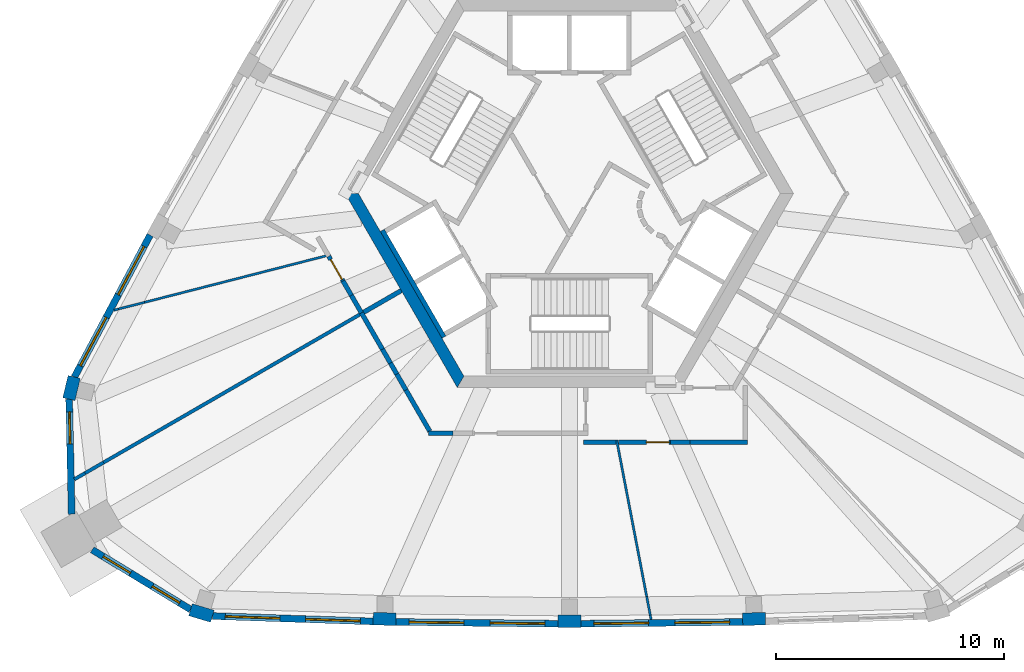
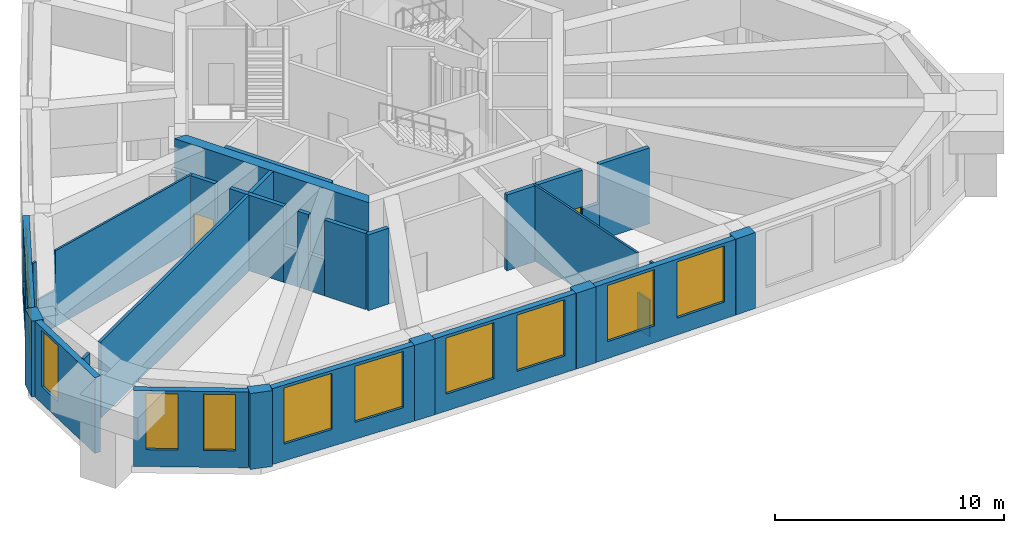
# One storey, part 2 of 9: 36 walls, 11 windows, 2 doors, 13 openings.
"""IFC4 building model written with IfcOpenShell, lengths in metres."""

from ifc_helpers import new_model, si_unit, direction, frame, frame_2d, origin, place, context, subcontext, project, spatial, polyline, rectangle, outline, extrude, material, layer, layer_set, type_object, element, fill, save


model = new_model("IFC4")

# Units and contexts
model_context = context("Model", 3, precision=1e-05, world=origin(), true_north=direction((0.0, 1.0)))
body_context = subcontext(model_context, "Body", "Model", "MODEL_VIEW")
ifc_project = project(units=[si_unit("LENGTHUNIT", "METRE"), si_unit("AREAUNIT", "SQUARE_METRE"), si_unit("VOLUMEUNIT", "CUBIC_METRE"), si_unit("PLANEANGLEUNIT", "RADIAN"), si_unit("MASSUNIT", "GRAM", prefix="KILO")], contexts=[model_context])

# Site, building, storey
site_placement = place(None, origin())
site = spatial("IfcSite", under=ifc_project, at=site_placement, CompositionType="ELEMENT")
building_placement = place(site_placement, origin())
building = spatial("IfcBuilding", under=site, at=building_placement, Name="Entoto Arch Interchange Tower", CompositionType="ELEMENT")
storey_placement = place(building_placement, frame((0.0, 0.0, 335.89990234375)))
storey = spatial("IfcBuildingStorey", under=building, at=storey_placement, Name="L79", CompositionType="ELEMENT", Elevation=335.89990234375)

# Walls
ifc_material_1 = material(Name="Concrete C40/50", Category="concrete")
ifc_layer_1 = layer(ifc_material_1, 0.5)
ifc_layer_set_1 = layer_set([ifc_layer_1], Name="Concrete C40/50")
wall_type_1 = type_object("IfcWallType", Name="Core wall 500 C40/50", PredefinedType="SHEAR", material=ifc_layer_set_1)
wall_1_placement = place(storey_placement, frame((0.0, 0.0, -0.349853515625)))
element("IfcWall", 1, at=wall_1_placement, inside=storey, type_object=wall_type_1, Name="Core wall SW L79", PredefinedType="SHEAR", context=body_context, shape_type="SweptSolid", body=[
    extrude(outline(polyline([(-9.81494140625, 2.5), (-4.906982421875, -6.0), (-4.618896484375, -5.5), (-9.238037109375, 2.5), (-9.81494140625, 2.5)])), origin(), (0.0, 0.0, 1.0), 4.39990234375),
])
ifc_layer_2 = layer(ifc_material_1, 0.199951171875)
ifc_layer_set_2 = layer_set([ifc_layer_2], Name="Concrete C40/50")
wall_type_2 = type_object("IfcWallType", Name="LIFT SHAFT WALL 200", PredefinedType="STANDARD", material=ifc_layer_set_2)
wall_2_placement = place(storey_placement, frame((-8.19189453125, 0.887939453125, 0.0), z_axis=(0.0, 0.0, 1.0), x_axis=(0.500034260056, -0.866005622828, 0.0)))
element("IfcWall", 2, at=wall_2_placement, inside=storey, type_object=wall_type_2, Name="Shaft wall SW1 back", PredefinedType="STANDARD", context=body_context, shape_type="SweptSolid", body=[
    extrude(rectangle(XDim=5.3994140625, YDim=0.199951171875, at=frame_2d((2.69970703125, 0.0))), origin(), (0.0, 0.0, 1.0), 4.050048828125),
])
ifc_material_2 = material(Name="Gypsum board partition on steel studs", Category="steel")
ifc_layer_3 = layer(ifc_material_2, 0.10009765625)
ifc_layer_set_3 = layer_set([ifc_layer_3], Name="Gypsum board partition on steel studs")
wall_type_3 = type_object("IfcWallType", Name="PARTITION 100", PredefinedType="PARTITIONING", material=ifc_layer_set_3)
wall_3_placement = place(storey_placement, frame((3.5810546875, -16.158935546875, 0.0), z_axis=(0.0, 0.0, 1.0), x_axis=(-0.186880008506, 0.982382747416, 0.0)))
element("IfcWall", 3, at=wall_3_placement, inside=storey, type_object=wall_type_3, Name="wall:L79:p023", PredefinedType="PARTITIONING", context=body_context, shape_type="SweptSolid", body=[
    extrude(rectangle(XDim=0.193359375, YDim=0.10009765625, at=frame_2d((0.0966796875, 0.0))), origin(), (0.0, 0.0, 1.0), 4.050048828125),
])
wall_4_placement = place(storey_placement, frame((-10.465087890625, -0.180908203125, 0.0), z_axis=(0.0, 0.0, 1.0), x_axis=(-0.968719585482, -0.248157943061, 0.0)))
element("IfcWall", 4, at=wall_4_placement, inside=storey, type_object=wall_type_3, Name="wall:L79:p048", PredefinedType="PARTITIONING", context=body_context, shape_type="SweptSolid", body=[
    extrude(rectangle(XDim=8.40283203125, YDim=0.10009765625, at=frame_2d((4.201416015625, 0.0))), origin(), (0.0, 0.0, 1.0), 4.050048828125),
])
wall_5_placement = place(storey_placement, frame((3.544921875, -15.968994140625, 0.0), z_axis=(0.0, 0.0, 1.0), x_axis=(-0.188934578713, 0.981989676609, 0.0)))
element("IfcWall", 5, at=wall_5_placement, inside=storey, type_object=wall_type_3, Name="wall:L79:p023", PredefinedType="PARTITIONING", context=body_context, shape_type="SweptSolid", body=[
    extrude(rectangle(XDim=0.830810546875, YDim=0.10009765625, at=frame_2d((0.41552734375, 0.0))), origin(), (0.0, 0.0, 1.0), 1.9501953125),
])
wall_6_placement = place(storey_placement, frame((3.387939453125, -15.153076171875, 0.0), z_axis=(0.0, 0.0, 1.0), x_axis=(-0.18849172388, 0.982074778227, 0.0)))
element("IfcWall", 6, at=wall_6_placement, inside=storey, type_object=wall_type_3, Name="wall:L79:p023", PredefinedType="PARTITIONING", context=body_context, shape_type="SweptSolid", body=[
    extrude(rectangle(XDim=6.97607421875, YDim=0.10009765625, at=frame_2d((3.488037109375, 0.0))), origin(), (0.0, 0.0, 1.0), 4.050048828125),
])
wall_7_placement = place(storey_placement, frame((-18.60498046875, -2.26611328125, 0.0), z_axis=(0.0, 0.0, 1.0), x_axis=(-0.968888153569, -0.247498981561, 0.0)))
element("IfcWall", 7, at=wall_7_placement, inside=storey, type_object=wall_type_3, Name="wall:L79:p048", PredefinedType="PARTITIONING", context=body_context, shape_type="SweptSolid", body=[
    extrude(rectangle(XDim=1.1796875, YDim=0.10009765625, at=frame_2d((0.58984375, 0.0))), origin(), (0.0, 0.0, 1.0), 1.9501953125),
])
wall_8_placement = place(storey_placement, frame((-19.748046875, -2.55810546875, 0.0), z_axis=(0.0, 0.0, 1.0), x_axis=(-0.968649127898, -0.248432821952, 0.0)))
element("IfcWall", 8, at=wall_8_placement, inside=storey, type_object=wall_type_3, Name="wall:L79:p048", PredefinedType="PARTITIONING", context=body_context, shape_type="SweptSolid", body=[
    extrude(rectangle(XDim=0.204345703125, YDim=0.10009765625, at=frame_2d((0.10205078125, 0.0))), origin(), (0.0, 0.0, 1.0), 4.050048828125),
])
ifc_layer_4 = layer(ifc_material_2, 0.14990234375)
ifc_layer_set_4 = layer_set([ifc_layer_4], Name="Gypsum board partition on steel studs")
wall_type_4 = type_object("IfcWallType", Name="PARTITION 150", PredefinedType="PARTITIONING", material=ifc_layer_set_4)
wall_9_placement = place(storey_placement, frame((-21.679931640625, -10.01806640625, 0.0), z_axis=(0.0, 0.0, 1.0), x_axis=(0.866178063635, 0.499735492113, 0.0)))
element("IfcWall", 9, at=wall_9_placement, inside=storey, type_object=wall_type_4, Name="wall:L79:p025", PredefinedType="PARTITIONING", context=body_context, shape_type="SweptSolid", body=[
    extrude(rectangle(XDim=0.540283203125, YDim=0.14990234375, at=frame_2d((0.27001953125, 0.0))), origin(), (0.0, 0.0, 1.0), 4.050048828125),
])
wall_10_placement = place(storey_placement, frame((-21.2119140625, -9.748046875, 0.0), z_axis=(0.0, 0.0, 1.0), x_axis=(0.866133493915, 0.499812735651, 0.0)))
element("IfcWall", 10, at=wall_10_placement, inside=storey, type_object=wall_type_4, Name="wall:L79:p025", PredefinedType="PARTITIONING", context=body_context, shape_type="SweptSolid", body=[
    extrude(rectangle(XDim=0.936279296875, YDim=0.14990234375, at=frame_2d((0.46826171875, 0.0))), origin(), (0.0, 0.0, 1.0), 1.9501953125),
])
wall_11_placement = place(storey_placement, frame((-20.40087890625, -9.280029296875, 0.0), z_axis=(0.0, 0.0, 1.0), x_axis=(0.865982571061, 0.500074181116, 0.0)))
element("IfcWall", 11, at=wall_11_placement, inside=storey, type_object=wall_type_4, Name="wall:L79:p025", PredefinedType="PARTITIONING", context=body_context, shape_type="SweptSolid", body=[
    extrude(rectangle(XDim=13.158203125, YDim=0.14990234375, at=frame_2d((6.5791015625, 0.0))), origin(), (0.0, 0.0, 1.0), 4.050048828125),
])
ifc_layer_5 = layer(ifc_material_2, 0.199951171875)
ifc_layer_set_5 = layer_set([ifc_layer_5], Name="Gypsum board partition on steel studs")
wall_type_5 = type_object("IfcWallType", Name="PARTITION 200", PredefinedType="PARTITIONING", material=ifc_layer_set_5)
wall_12_placement = place(storey_placement, frame((7.81298828125, -8.39990234375, 0.0), z_axis=(0.0, 0.0, 1.0), x_axis=(-1.0, 0.0, 0.0)))
element("IfcWall", 12, at=wall_12_placement, inside=storey, type_object=wall_type_5, Name="wall:L79:p015", PredefinedType="PARTITIONING", context=body_context, shape_type="SweptSolid", body=[
    extrude(rectangle(XDim=2.528076171875, YDim=0.199951171875, at=frame_2d((1.26416015625, 0.0))), origin(), (0.0, 0.0, 1.0), 4.050048828125),
])
wall_13_placement = place(storey_placement, frame((2.0419921875, -8.39990234375, 0.0), z_axis=(0.0, 0.0, 1.0), x_axis=(-1.0, 0.0, 0.0)))
element("IfcWall", 13, at=wall_13_placement, inside=storey, type_object=wall_type_5, Name="wall:L79:p017", PredefinedType="PARTITIONING", context=body_context, shape_type="SweptSolid", body=[
    extrude(rectangle(XDim=1.428955078125, YDim=0.199951171875, at=frame_2d((0.71435546875, 0.0))), origin(), (0.0, 0.0, 1.0), 4.050048828125),
])
wall_14_placement = place(storey_placement, frame((-6.112060546875, -7.9130859375, 0.0), z_axis=(0.0, 0.0, 1.0), x_axis=(-0.500160776593, 0.865932559475, 0.0)))
element("IfcWall", 14, at=wall_14_placement, inside=storey, type_object=wall_type_5, Name="wall:L79:p019", PredefinedType="PARTITIONING", context=body_context, shape_type="SweptSolid", body=[
    extrude(rectangle(XDim=2.089111328125, YDim=0.199951171875, at=frame_2d((1.04443359375, 0.0))), origin(), (0.0, 0.0, 1.0), 4.050048828125),
])
wall_15_placement = place(storey_placement, frame((-9.006103515625, -2.699951171875, 0.0), z_axis=(0.0, 0.0, 1.0), x_axis=(0.865980106173, 0.500078449558, 0.0)))
element("IfcWall", 15, at=wall_15_placement, inside=storey, type_object=wall_type_5, Name="wall:L79:p020", PredefinedType="PARTITIONING", context=body_context, shape_type="SweptSolid", body=[
    extrude(rectangle(XDim=1.899658203125, YDim=0.199951171875, at=frame_2d((0.94970703125, 0.0))), origin(), (0.0, 0.0, 1.0), 4.050048828125),
])
wall_16_placement = place(storey_placement, frame((-9.10498046875, -2.72802734375, 0.0), z_axis=(0.0, 0.0, 1.0), x_axis=(-0.499849883363, 0.866112056319, 0.0)))
element("IfcWall", 16, at=wall_16_placement, inside=storey, type_object=wall_type_5, Name="wall:L79:p044", PredefinedType="PARTITIONING", context=body_context, shape_type="SweptSolid", body=[
    extrude(rectangle(XDim=0.884521484375, YDim=0.199951171875, at=frame_2d((0.4423828125, 0.0))), origin(), (0.0, 0.0, 1.0), 4.050048828125),
])
wall_17_placement = place(storey_placement, frame((5.284912109375, -8.39990234375, 0.0), z_axis=(0.0, 0.0, 1.0), x_axis=(-1.0, 0.0, 0.0)))
element("IfcWall", 17, at=wall_17_placement, inside=storey, type_object=wall_type_5, Name="wall:L79:p015", PredefinedType="PARTITIONING", context=body_context, shape_type="SweptSolid", body=[
    extrude(rectangle(XDim=0.85595703125, YDim=0.199951171875, at=frame_2d((0.427978515625, 0.0))), origin(), (0.0, 0.0, 1.0), 1.9501953125),
])

# Wall, opening, door
wall_18_placement = place(storey_placement, frame((4.428955078125, -8.39990234375, 0.0), z_axis=(0.0, 0.0, 1.0), x_axis=(-1.0, 0.0, 0.0)))
wall_18 = element("IfcWall", 18, at=wall_18_placement, inside=storey, type_object=wall_type_5, Name="wall:L79:p015", PredefinedType="PARTITIONING", context=body_context, shape_type="SweptSolid", body=[
    extrude(rectangle(XDim=2.286865234375, YDim=0.199951171875, at=frame_2d((1.1435546875, 0.0))), origin(), (0.0, 0.0, 1.0), 4.050048828125),
])
opening_1_placement = place(wall_18_placement, frame((0.056884765625, 0.0, 0.0)))
opening_1 = element("IfcOpeningElement", 19, at=opening_1_placement, cuts=wall_18, Name="Opening L79-D03", PredefinedType="OPENING", context=body_context, shape_type="SweptSolid", body=[
    extrude(rectangle(XDim=1.0, YDim=2.10009765625, at=frame_2d((0.5, 1.050048828125))), frame((0.0, 0.10986328125, 0.0), z_axis=(0.0, -1.0, 0.0), x_axis=(1.0, 0.0, 0.0)), (0.0, 0.0, 1.0), 0.219970703125),
])
ifc_material_3 = material(Name="Fire-rated Steel S235 door and frame", Category="steel")
door_type_1 = type_object("IfcDoorType", Name="DOOR FD-10 1000x2100", OperationType="SINGLE_SWING_LEFT", PredefinedType="DOOR", material=ifc_material_3)
door_1_placement = place(opening_1_placement, origin())
door_1 = element("IfcDoor", 20, at=door_1_placement, inside=storey, type_object=door_type_1, Name="door:L79:03", OperationType="SINGLE_SWING_LEFT", OverallHeight=2.10009765625, OverallWidth=1.0, PredefinedType="DOOR", context=body_context, shape_type="SweptSolid", body=[
    extrude(rectangle(XDim=1.0, YDim=2.10009765625, at=frame_2d((0.5, 1.050048828125))), frame((0.0, 0.02490234375, 0.0), z_axis=(0.0, -1.0, 0.0), x_axis=(1.0, 0.0, 0.0)), (0.0, 0.0, 1.0), 0.050048828125),
])
fill(opening_1, door_1)

# Walls
wall_19_placement = place(storey_placement, frame((-5.10595703125, -8.0, 0.0), z_axis=(0.0, 0.0, 1.0), x_axis=(-1.0, 0.0, 0.0)))
element("IfcWall", 21, at=wall_19_placement, inside=storey, type_object=wall_type_5, Name="wall:L79:p018", PredefinedType="PARTITIONING", context=body_context, shape_type="SweptSolid", body=[
    extrude(rectangle(XDim=1.05615234375, YDim=0.199951171875, at=frame_2d((0.528076171875, 0.0))), origin(), (0.0, 0.0, 1.0), 4.050048828125),
])
wall_20_placement = place(storey_placement, frame((-7.156982421875, -6.10400390625, 0.0), z_axis=(0.0, 0.0, 1.0), x_axis=(-0.49931022413, 0.866423279973, 0.0)))
element("IfcWall", 22, at=wall_20_placement, inside=storey, type_object=wall_type_5, Name="wall:L79:p019", PredefinedType="PARTITIONING", context=body_context, shape_type="SweptSolid", body=[
    extrude(rectangle(XDim=0.803466796875, YDim=0.199951171875, at=frame_2d((0.40185546875, 0.0))), origin(), (0.0, 0.0, 1.0), 1.9501953125),
])
wall_21_placement = place(storey_placement, frame((-7.55810546875, -5.407958984375, 0.0), z_axis=(0.0, 0.0, 1.0), x_axis=(-0.499646164767, 0.866229594296, 0.0)))
element("IfcWall", 23, at=wall_21_placement, inside=storey, type_object=wall_type_5, Name="wall:L79:p019", PredefinedType="PARTITIONING", context=body_context, shape_type="SweptSolid", body=[
    extrude(rectangle(XDim=0.55419921875, YDim=0.199951171875, at=frame_2d((0.277099609375, 0.0))), origin(), (0.0, 0.0, 1.0), 4.050048828125),
])
wall_22_placement = place(storey_placement, frame((-7.8349609375, -4.927978515625, 0.0), z_axis=(0.0, 0.0, 1.0), x_axis=(-0.500265973451, 0.865871789474, 0.0)))
element("IfcWall", 24, at=wall_22_placement, inside=storey, type_object=wall_type_5, Name="wall:L79:p019", PredefinedType="PARTITIONING", context=body_context, shape_type="SweptSolid", body=[
    extrude(rectangle(XDim=0.69970703125, YDim=0.199951171875, at=frame_2d((0.349853515625, 0.0))), origin(), (0.0, 0.0, 1.0), 1.9501953125),
])
wall_23_placement = place(storey_placement, frame((-8.18505859375, -4.322021484375, 0.0), z_axis=(0.0, 0.0, 1.0), x_axis=(-0.499848773445, 0.866112696874, 0.0)))
element("IfcWall", 25, at=wall_23_placement, inside=storey, type_object=wall_type_5, Name="wall:L79:p019", PredefinedType="PARTITIONING", context=body_context, shape_type="SweptSolid", body=[
    extrude(rectangle(XDim=1.84033203125, YDim=0.199951171875, at=frame_2d((0.920166015625, 0.0))), origin(), (0.0, 0.0, 1.0), 4.050048828125),
])
wall_24_placement = place(storey_placement, frame((-9.547119140625, -1.9619140625, 0.0), z_axis=(0.0, 0.0, 1.0), x_axis=(-0.500205129465, 0.865906939836, 0.0)))
element("IfcWall", 26, at=wall_24_placement, inside=storey, type_object=wall_type_5, Name="wall:L79:p044", PredefinedType="PARTITIONING", context=body_context, shape_type="SweptSolid", body=[
    extrude(rectangle(XDim=0.729736328125, YDim=0.199951171875, at=frame_2d((0.36474609375, 0.0))), origin(), (0.0, 0.0, 1.0), 1.9501953125),
])

# Wall, opening, door
wall_25_placement = place(storey_placement, frame((-9.912109375, -1.330078125, 0.0), z_axis=(0.0, 0.0, 1.0), x_axis=(-0.500512107711, 0.865729536307, 0.0)))
wall_25 = element("IfcWall", 27, at=wall_25_placement, inside=storey, type_object=wall_type_5, Name="wall:L79:p044", PredefinedType="PARTITIONING", context=body_context, shape_type="SweptSolid", body=[
    extrude(rectangle(XDim=1.248779296875, YDim=0.199951171875, at=frame_2d((0.62451171875, 0.0))), origin(), (0.0, 0.0, 1.0), 4.050048828125),
])
opening_2_placement = place(wall_25_placement, frame((0.0849609375, 0.0, 0.0)))
opening_2 = element("IfcOpeningElement", 28, at=opening_2_placement, cuts=wall_25, Name="Opening L79-D14", PredefinedType="OPENING", context=body_context, shape_type="SweptSolid", body=[
    extrude(rectangle(XDim=1.0, YDim=2.10009765625, at=frame_2d((0.5, 1.050048828125))), frame((0.0, 0.10986328125, 0.0), z_axis=(0.0, -1.0, 0.0), x_axis=(1.0, 0.0, 0.0)), (0.0, 0.0, 1.0), 0.219970703125),
])
ifc_material_4 = material(Name="Timber door leaf in Steel S235 frame", Category="steel")
door_type_2 = type_object("IfcDoorType", Name="DOOR DS-10 1000x2100", OperationType="SINGLE_SWING_LEFT", PredefinedType="DOOR", material=ifc_material_4)
door_2_placement = place(opening_2_placement, origin())
door_2 = element("IfcDoor", 29, at=door_2_placement, inside=storey, type_object=door_type_2, Name="door:L79:14", OperationType="SINGLE_SWING_LEFT", OverallHeight=2.10009765625, OverallWidth=1.0, PredefinedType="DOOR", context=body_context, shape_type="SweptSolid", body=[
    extrude(rectangle(XDim=1.0, YDim=2.10009765625, at=frame_2d((0.5, 1.050048828125))), frame((0.0, 0.02490234375, 0.0), z_axis=(0.0, -1.0, 0.0), x_axis=(1.0, 0.0, 0.0)), (0.0, 0.0, 1.0), 0.050048828125),
])
fill(opening_2, door_2)

# Wall, openings, windows
ifc_material_5 = material(Name="Welded tuff (ignimbrite) cladding, warm buff", Category="masonry")
ifc_layer_6 = layer(ifc_material_5, 0.300048828125)
ifc_layer_set_6 = layer_set([ifc_layer_6], Name="Welded tuff (ignimbrite) cladding, warm buff")
wall_type_6 = type_object("IfcWallType", Name="STONE INFILL WALL 300", PredefinedType="STANDARD", material=ifc_layer_set_6)
wall_26_placement = place(storey_placement, frame((-15.633056640625, -16.0048828125, 0.0), z_axis=(0.0, 0.0, 1.0), x_axis=(0.999433696929, -0.033649449366, 0.0)))
wall_26 = element("IfcWall", 30, at=wall_26_placement, inside=storey, type_object=wall_type_6, Name="Facade wall S-01 L79", PredefinedType="STANDARD", context=body_context, shape_type="SweptSolid", body=[
    extrude(rectangle(XDim=7.044921875, YDim=0.300048828125, at=frame_2d((3.5224609375, 0.0))), origin(), (0.0, 0.0, 1.0), 4.050048828125),
])
opening_3_placement = place(wall_26_placement, frame((0.56103515625, 0.0, 0.89990234375)))
opening_3 = element("IfcOpeningElement", 31, at=opening_3_placement, cuts=wall_26, Name="Opening WK-A", PredefinedType="OPENING", context=body_context, shape_type="SweptSolid", body=[
    extrude(rectangle(XDim=2.39990234375, YDim=3.0, at=frame_2d((1.199951171875, 1.5))), frame((0.0, 0.16015625, 0.0), z_axis=(0.0, -1.0, 0.0), x_axis=(1.0, 0.0, 0.0)), (0.0, 0.0, 1.0), 0.320068359375),
])
opening_4_placement = place(wall_26_placement, frame((4.083984375, 0.0, 0.89990234375)))
opening_4 = element("IfcOpeningElement", 32, at=opening_4_placement, cuts=wall_26, Name="Opening WK-A", PredefinedType="OPENING", context=body_context, shape_type="SweptSolid", body=[
    extrude(rectangle(XDim=2.39990234375, YDim=3.0, at=frame_2d((1.199951171875, 1.5))), frame((0.0, 0.16015625, 0.0), z_axis=(0.0, -1.0, 0.0), x_axis=(1.0, 0.0, 0.0)), (0.0, 0.0, 1.0), 0.320068359375),
])
ifc_material_6 = material(Name="Clear glass, low-e double glazed", Category="glass")
window_type_1 = type_object("IfcWindowType", Name="WINDOW WK-A 2400x3000", PartitioningType="DOUBLE_PANEL_VERTICAL", PredefinedType="WINDOW", material=ifc_material_6)
window_1_placement = place(opening_3_placement, origin())
window_1 = element("IfcWindow", 33, at=window_1_placement, inside=storey, type_object=window_type_1, Name="Window WK-A S-01 L79", OverallHeight=3.0, OverallWidth=2.39990234375, PartitioningType="SINGLE_PANEL", PredefinedType="WINDOW", context=body_context, shape_type="SweptSolid", body=[
    extrude(rectangle(XDim=2.39990234375, YDim=3.0, at=frame_2d((1.199951171875, 1.5))), frame((0.0, 0.030029296875, 0.0), z_axis=(0.0, -1.0, 0.0), x_axis=(1.0, 0.0, 0.0)), (0.0, 0.0, 1.0), 0.06005859375),
])
fill(opening_3, window_1)
window_2_placement = place(opening_4_placement, origin())
window_2 = element("IfcWindow", 34, at=window_2_placement, inside=storey, type_object=window_type_1, Name="Window WK-A S-01 L79", OverallHeight=3.0, OverallWidth=2.39990234375, PartitioningType="SINGLE_PANEL", PredefinedType="WINDOW", context=body_context, shape_type="SweptSolid", body=[
    extrude(rectangle(XDim=2.39990234375, YDim=3.0, at=frame_2d((1.199951171875, 1.5))), frame((0.0, 0.030029296875, 0.0), z_axis=(0.0, -1.0, 0.0), x_axis=(1.0, 0.0, 0.0)), (0.0, 0.0, 1.0), 0.06005859375),
])
fill(opening_4, window_2)

wall_27_placement = place(storey_placement, frame((-7.594970703125, -16.264892578125, 0.0), z_axis=(0.0, 0.0, 1.0), x_axis=(0.999937873213, -0.011146735624, 0.0)))
wall_27 = element("IfcWall", 35, at=wall_27_placement, inside=storey, type_object=wall_type_6, Name="Facade wall S-02 L79", PredefinedType="STANDARD", context=body_context, shape_type="SweptSolid", body=[
    extrude(rectangle(XDim=7.096435546875, YDim=0.300048828125, at=frame_2d((3.54833984375, 0.0))), origin(), (0.0, 0.0, 1.0), 4.050048828125),
])
opening_5_placement = place(wall_27_placement, frame((0.573974609375, 0.0, 0.89990234375)))
opening_5 = element("IfcOpeningElement", 36, at=opening_5_placement, cuts=wall_27, Name="Opening WK-A", PredefinedType="OPENING", context=body_context, shape_type="SweptSolid", body=[
    extrude(rectangle(XDim=2.39990234375, YDim=3.0, at=frame_2d((1.199951171875, 1.5))), frame((0.0, 0.16015625, 0.0), z_axis=(0.0, -1.0, 0.0), x_axis=(1.0, 0.0, 0.0)), (0.0, 0.0, 1.0), 0.320068359375),
])
opening_6_placement = place(wall_27_placement, frame((4.1220703125, 0.0, 0.89990234375)))
opening_6 = element("IfcOpeningElement", 37, at=opening_6_placement, cuts=wall_27, Name="Opening WK-A", PredefinedType="OPENING", context=body_context, shape_type="SweptSolid", body=[
    extrude(rectangle(XDim=2.39990234375, YDim=3.0, at=frame_2d((1.199951171875, 1.5))), frame((0.0, 0.16015625, 0.0), z_axis=(0.0, -1.0, 0.0), x_axis=(1.0, 0.0, 0.0)), (0.0, 0.0, 1.0), 0.320068359375),
])
window_3_placement = place(opening_5_placement, origin())
window_3 = element("IfcWindow", 38, at=window_3_placement, inside=storey, type_object=window_type_1, Name="Window WK-A S-02 L79", OverallHeight=3.0, OverallWidth=2.39990234375, PartitioningType="SINGLE_PANEL", PredefinedType="WINDOW", context=body_context, shape_type="SweptSolid", body=[
    extrude(rectangle(XDim=2.39990234375, YDim=3.0, at=frame_2d((1.199951171875, 1.5))), frame((0.0, 0.030029296875, 0.0), z_axis=(0.0, -1.0, 0.0), x_axis=(1.0, 0.0, 0.0)), (0.0, 0.0, 1.0), 0.06005859375),
])
fill(opening_5, window_3)
window_4_placement = place(opening_6_placement, origin())
window_4 = element("IfcWindow", 39, at=window_4_placement, inside=storey, type_object=window_type_1, Name="Window WK-A S-02 L79", OverallHeight=3.0, OverallWidth=2.39990234375, PartitioningType="SINGLE_PANEL", PredefinedType="WINDOW", context=body_context, shape_type="SweptSolid", body=[
    extrude(rectangle(XDim=2.39990234375, YDim=3.0, at=frame_2d((1.199951171875, 1.5))), frame((0.0, 0.030029296875, 0.0), z_axis=(0.0, -1.0, 0.0), x_axis=(1.0, 0.0, 0.0)), (0.0, 0.0, 1.0), 0.06005859375),
])
fill(opening_6, window_4)

wall_28_placement = place(storey_placement, frame((0.4990234375, -16.343994140625, 0.0), z_axis=(0.0, 0.0, 1.0), x_axis=(0.999937873213, 0.011146735624, 0.0)))
wall_28 = element("IfcWall", 40, at=wall_28_placement, inside=storey, type_object=wall_type_6, Name="Facade wall S-03 L79", PredefinedType="STANDARD", context=body_context, shape_type="SweptSolid", body=[
    extrude(rectangle(XDim=7.096435546875, YDim=0.300048828125, at=frame_2d((3.54833984375, 0.0))), origin(), (0.0, 0.0, 1.0), 4.050048828125),
])
opening_7_placement = place(wall_28_placement, frame((0.573974609375, 0.0, 0.89990234375)))
opening_7 = element("IfcOpeningElement", 41, at=opening_7_placement, cuts=wall_28, Name="Opening WK-A", PredefinedType="OPENING", context=body_context, shape_type="SweptSolid", body=[
    extrude(rectangle(XDim=2.39990234375, YDim=3.0, at=frame_2d((1.199951171875, 1.5))), frame((0.0, 0.16015625, 0.0), z_axis=(0.0, -1.0, 0.0), x_axis=(1.0, 0.0, 0.0)), (0.0, 0.0, 1.0), 0.320068359375),
])
opening_8_placement = place(wall_28_placement, frame((4.1220703125, 0.0, 0.89990234375)))
opening_8 = element("IfcOpeningElement", 42, at=opening_8_placement, cuts=wall_28, Name="Opening WK-A", PredefinedType="OPENING", context=body_context, shape_type="SweptSolid", body=[
    extrude(rectangle(XDim=2.39990234375, YDim=3.0, at=frame_2d((1.199951171875, 1.5))), frame((0.0, 0.16015625, 0.0), z_axis=(0.0, -1.0, 0.0), x_axis=(1.0, 0.0, 0.0)), (0.0, 0.0, 1.0), 0.320068359375),
])
window_5_placement = place(opening_7_placement, origin())
window_5 = element("IfcWindow", 43, at=window_5_placement, inside=storey, type_object=window_type_1, Name="Window WK-A S-03 L79", OverallHeight=3.0, OverallWidth=2.39990234375, PartitioningType="SINGLE_PANEL", PredefinedType="WINDOW", context=body_context, shape_type="SweptSolid", body=[
    extrude(rectangle(XDim=2.39990234375, YDim=3.0, at=frame_2d((1.199951171875, 1.5))), frame((0.0, 0.030029296875, 0.0), z_axis=(0.0, -1.0, 0.0), x_axis=(1.0, 0.0, 0.0)), (0.0, 0.0, 1.0), 0.06005859375),
])
fill(opening_7, window_5)
window_6_placement = place(opening_8_placement, origin())
window_6 = element("IfcWindow", 44, at=window_6_placement, inside=storey, type_object=window_type_1, Name="Window WK-A S-03 L79", OverallHeight=3.0, OverallWidth=2.39990234375, PartitioningType="SINGLE_PANEL", PredefinedType="WINDOW", context=body_context, shape_type="SweptSolid", body=[
    extrude(rectangle(XDim=2.39990234375, YDim=3.0, at=frame_2d((1.199951171875, 1.5))), frame((0.0, 0.030029296875, 0.0), z_axis=(0.0, -1.0, 0.0), x_axis=(1.0, 0.0, 0.0)), (0.0, 0.0, 1.0), 0.06005859375),
])
fill(opening_8, window_6)

wall_29_placement = place(storey_placement, frame((-18.363037109375, 0.678955078125, 0.0), z_axis=(0.0, 0.0, 1.0), x_axis=(-0.470447918342, -0.882427762555, 0.0)))
wall_29 = element("IfcWall", 45, at=wall_29_placement, inside=storey, type_object=wall_type_6, Name="Facade wall NW-04 L79", PredefinedType="STANDARD", context=body_context, shape_type="SweptSolid", body=[
    extrude(rectangle(XDim=7.044189453125, YDim=0.300048828125, at=frame_2d((3.52197265625, 0.0))), origin(), (0.0, 0.0, 1.0), 4.050048828125),
])
opening_9_placement = place(wall_29_placement, frame((0.56103515625, 0.0, 0.89990234375)))
opening_9 = element("IfcOpeningElement", 46, at=opening_9_placement, cuts=wall_29, Name="Opening WK-A", PredefinedType="OPENING", context=body_context, shape_type="SweptSolid", body=[
    extrude(rectangle(XDim=2.39990234375, YDim=3.0, at=frame_2d((1.199951171875, 1.5))), frame((0.0, 0.16015625, 0.0), z_axis=(0.0, -1.0, 0.0), x_axis=(1.0, 0.0, 0.0)), (0.0, 0.0, 1.0), 0.320068359375),
])
opening_10_placement = place(wall_29_placement, frame((4.0830078125, 0.0, 0.89990234375)))
opening_10 = element("IfcOpeningElement", 47, at=opening_10_placement, cuts=wall_29, Name="Opening WK-A", PredefinedType="OPENING", context=body_context, shape_type="SweptSolid", body=[
    extrude(rectangle(XDim=2.39990234375, YDim=3.0, at=frame_2d((1.199951171875, 1.5))), frame((0.0, 0.16015625, 0.0), z_axis=(0.0, -1.0, 0.0), x_axis=(1.0, 0.0, 0.0)), (0.0, 0.0, 1.0), 0.320068359375),
])
window_7_placement = place(opening_9_placement, origin())
window_7 = element("IfcWindow", 48, at=window_7_placement, inside=storey, type_object=window_type_1, Name="Window WK-A NW-04 L79", OverallHeight=3.0, OverallWidth=2.39990234375, PartitioningType="SINGLE_PANEL", PredefinedType="WINDOW", context=body_context, shape_type="SweptSolid", body=[
    extrude(rectangle(XDim=2.39990234375, YDim=3.0, at=frame_2d((1.199951171875, 1.5))), frame((0.0, 0.030029296875, 0.0), z_axis=(0.0, -1.0, 0.0), x_axis=(1.0, 0.0, 0.0)), (0.0, 0.0, 1.0), 0.06005859375),
])
fill(opening_9, window_7)
window_8_placement = place(opening_10_placement, origin())
window_8 = element("IfcWindow", 49, at=window_8_placement, inside=storey, type_object=window_type_1, Name="Window WK-A NW-04 L79", OverallHeight=3.0, OverallWidth=2.39990234375, PartitioningType="SINGLE_PANEL", PredefinedType="WINDOW", context=body_context, shape_type="SweptSolid", body=[
    extrude(rectangle(XDim=2.39990234375, YDim=3.0, at=frame_2d((1.199951171875, 1.5))), frame((0.0, 0.030029296875, 0.0), z_axis=(0.0, -1.0, 0.0), x_axis=(1.0, 0.0, 0.0)), (0.0, 0.0, 1.0), 0.06005859375),
])
fill(opening_10, window_8)

# Wall, opening, window
wall_30_placement = place(storey_placement, frame((-21.908935546875, -6.508056640625, 0.0), z_axis=(0.0, 0.0, 1.0), x_axis=(0.022431960078, -0.999748371925, 0.0)))
wall_30 = element("IfcWall", 50, at=wall_30_placement, inside=storey, type_object=wall_type_6, Name="Facade wall SW-01 L79", PredefinedType="STANDARD", context=body_context, shape_type="SweptSolid", body=[
    extrude(rectangle(XDim=5.0390625, YDim=0.300048828125, at=frame_2d((2.51953125, 0.0))), origin(), (0.0, 0.0, 1.0), 4.050048828125),
])
opening_11_placement = place(wall_30_placement, frame((0.56005859375, 0.0, 0.89990234375)))
opening_11 = element("IfcOpeningElement", 51, at=opening_11_placement, cuts=wall_30, Name="Opening WK-B", PredefinedType="OPENING", context=body_context, shape_type="SweptSolid", body=[
    extrude(rectangle(XDim=1.39990234375, YDim=3.0, at=frame_2d((0.699951171875, 1.5))), frame((0.0, 0.16015625, 0.0), z_axis=(0.0, -1.0, 0.0), x_axis=(1.0, 0.0, 0.0)), (0.0, 0.0, 1.0), 0.320068359375),
])
window_type_2 = type_object("IfcWindowType", Name="WINDOW WK-B 1400x3000", PartitioningType="DOUBLE_PANEL_VERTICAL", PredefinedType="WINDOW", material=ifc_material_6)
window_9_placement = place(opening_11_placement, origin())
window_9 = element("IfcWindow", 52, at=window_9_placement, inside=storey, type_object=window_type_2, Name="Window WK-B SW-01 L79", OverallHeight=3.0, OverallWidth=1.39990234375, PartitioningType="SINGLE_PANEL", PredefinedType="WINDOW", context=body_context, shape_type="SweptSolid", body=[
    extrude(rectangle(XDim=1.39990234375, YDim=3.0, at=frame_2d((0.699951171875, 1.5))), frame((0.0, 0.030029296875, 0.0), z_axis=(0.0, -1.0, 0.0), x_axis=(1.0, 0.0, 0.0)), (0.0, 0.0, 1.0), 0.06005859375),
])
fill(opening_11, window_9)

# Wall, openings, windows
wall_31_placement = place(storey_placement, frame((-20.89697265625, -13.10302734375, 0.0), z_axis=(0.0, 0.0, 1.0), x_axis=(0.854607095238, -0.519275180197, 0.0)))
wall_31 = element("IfcWall", 53, at=wall_31_placement, inside=storey, type_object=wall_type_6, Name="Facade wall SW-02 L79", PredefinedType="STANDARD", context=body_context, shape_type="SweptSolid", body=[
    extrude(rectangle(XDim=5.03955078125, YDim=0.300048828125, at=frame_2d((2.519775390625, 0.0))), origin(), (0.0, 0.0, 1.0), 4.050048828125),
])
opening_12_placement = place(wall_31_placement, frame((0.56005859375, 0.0, 0.89990234375)))
opening_12 = element("IfcOpeningElement", 54, at=opening_12_placement, cuts=wall_31, Name="Opening WK-B", PredefinedType="OPENING", context=body_context, shape_type="SweptSolid", body=[
    extrude(rectangle(XDim=1.39990234375, YDim=3.0, at=frame_2d((0.699951171875, 1.5))), frame((0.0, 0.16015625, 0.0), z_axis=(0.0, -1.0, 0.0), x_axis=(1.0, 0.0, 0.0)), (0.0, 0.0, 1.0), 0.320068359375),
])
opening_13_placement = place(wall_31_placement, frame((3.080078125, 0.0, 0.89990234375)))
opening_13 = element("IfcOpeningElement", 55, at=opening_13_placement, cuts=wall_31, Name="Opening WK-B", PredefinedType="OPENING", context=body_context, shape_type="SweptSolid", body=[
    extrude(rectangle(XDim=1.39990234375, YDim=3.0, at=frame_2d((0.699951171875, 1.5))), frame((0.0, 0.16015625, 0.0), z_axis=(0.0, -1.0, 0.0), x_axis=(1.0, 0.0, 0.0)), (0.0, 0.0, 1.0), 0.320068359375),
])
window_10_placement = place(opening_12_placement, origin())
window_10 = element("IfcWindow", 56, at=window_10_placement, inside=storey, type_object=window_type_2, Name="Window WK-B SW-02 L79", OverallHeight=3.0, OverallWidth=1.39990234375, PartitioningType="SINGLE_PANEL", PredefinedType="WINDOW", context=body_context, shape_type="SweptSolid", body=[
    extrude(rectangle(XDim=1.39990234375, YDim=3.0, at=frame_2d((0.699951171875, 1.5))), frame((0.0, 0.030029296875, 0.0), z_axis=(0.0, -1.0, 0.0), x_axis=(1.0, 0.0, 0.0)), (0.0, 0.0, 1.0), 0.06005859375),
])
fill(opening_12, window_10)
window_11_placement = place(opening_13_placement, origin())
window_11 = element("IfcWindow", 57, at=window_11_placement, inside=storey, type_object=window_type_2, Name="Window WK-B SW-02 L79", OverallHeight=3.0, OverallWidth=1.39990234375, PartitioningType="SINGLE_PANEL", PredefinedType="WINDOW", context=body_context, shape_type="SweptSolid", body=[
    extrude(rectangle(XDim=1.39990234375, YDim=3.0, at=frame_2d((0.699951171875, 1.5))), frame((0.0, 0.030029296875, 0.0), z_axis=(0.0, -1.0, 0.0), x_axis=(1.0, 0.0, 0.0)), (0.0, 0.0, 1.0), 0.06005859375),
])
fill(opening_13, window_11)

# Walls
ifc_layer_7 = layer(ifc_material_5, 0.550048828125)
ifc_layer_set_7 = layer_set([ifc_layer_7], Name="Welded tuff (ignimbrite) cladding, warm buff")
wall_type_7 = type_object("IfcWallType", Name="STONE PIER CLADDING 550", PredefinedType="STANDARD", material=ifc_layer_set_7)
wall_32_placement = place(storey_placement, frame((-21.68798828125, -5.532958984375, 0.0), z_axis=(0.0, 0.0, 1.0), x_axis=(-0.230916459446, -0.972973580709, 0.0)))
element("IfcWall", 58, at=wall_32_placement, inside=storey, type_object=wall_type_7, Name="Stone pier NW05 L79", PredefinedType="STANDARD", context=body_context, shape_type="SweptSolid", body=[
    extrude(rectangle(XDim=1.000244140625, YDim=0.550048828125, at=frame_2d((0.5, 0.0))), origin(), (0.0, 0.0, 1.0), 4.050048828125),
])
wall_33_placement = place(storey_placement, frame((-16.593994140625, -15.72998046875, 0.0), z_axis=(0.0, 0.0, 1.0), x_axis=(0.958588587629, -0.284794521834, 0.0)))
element("IfcWall", 59, at=wall_33_placement, inside=storey, type_object=wall_type_7, Name="Stone pier S01 L79", PredefinedType="STANDARD", context=body_context, shape_type="SweptSolid", body=[
    extrude(rectangle(XDim=1.00048828125, YDim=0.550048828125, at=frame_2d((0.500244140625, 0.0))), origin(), (0.0, 0.0, 1.0), 4.050048828125),
])
wall_34_placement = place(storey_placement, frame((-8.591064453125, -16.123046875, 0.0), z_axis=(0.0, 0.0, 1.0), x_axis=(0.999758688564, -0.021967353997, 0.0)))
element("IfcWall", 60, at=wall_34_placement, inside=storey, type_object=wall_type_7, Name="Stone pier S02 L79", PredefinedType="STANDARD", context=body_context, shape_type="SweptSolid", body=[
    extrude(rectangle(XDim=1.000244140625, YDim=0.550048828125, at=frame_2d((0.5, 0.0))), origin(), (0.0, 0.0, 1.0), 4.050048828125),
])
wall_35_placement = place(storey_placement, frame((-0.5, -16.22509765625, 0.0), z_axis=(0.0, 0.0, 1.0), x_axis=(1.0, 0.0, 0.0)))
element("IfcWall", 61, at=wall_35_placement, inside=storey, type_object=wall_type_7, Name="Stone pier S03 L79", PredefinedType="STANDARD", context=body_context, shape_type="SweptSolid", body=[
    extrude(rectangle(XDim=1.0, YDim=0.550048828125, at=frame_2d((0.5, 0.0))), origin(), (0.0, 0.0, 1.0), 4.050048828125),
])
wall_36_placement = place(storey_placement, frame((7.591064453125, -16.14501953125, 0.0), z_axis=(0.0, 0.0, 1.0), x_axis=(0.999758688564, 0.021967353997, 0.0)))
element("IfcWall", 62, at=wall_36_placement, inside=storey, type_object=wall_type_7, Name="Stone pier S04 L79", PredefinedType="STANDARD", context=body_context, shape_type="SweptSolid", body=[
    extrude(rectangle(XDim=1.000244140625, YDim=0.550048828125, at=frame_2d((0.5, 0.0))), origin(), (0.0, 0.0, 1.0), 4.050048828125),
])

save(model, "model.ifc")
